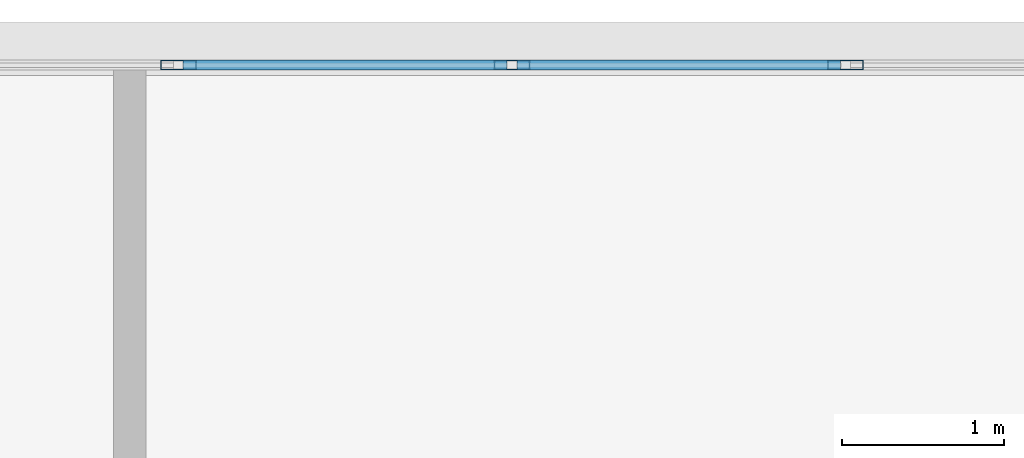
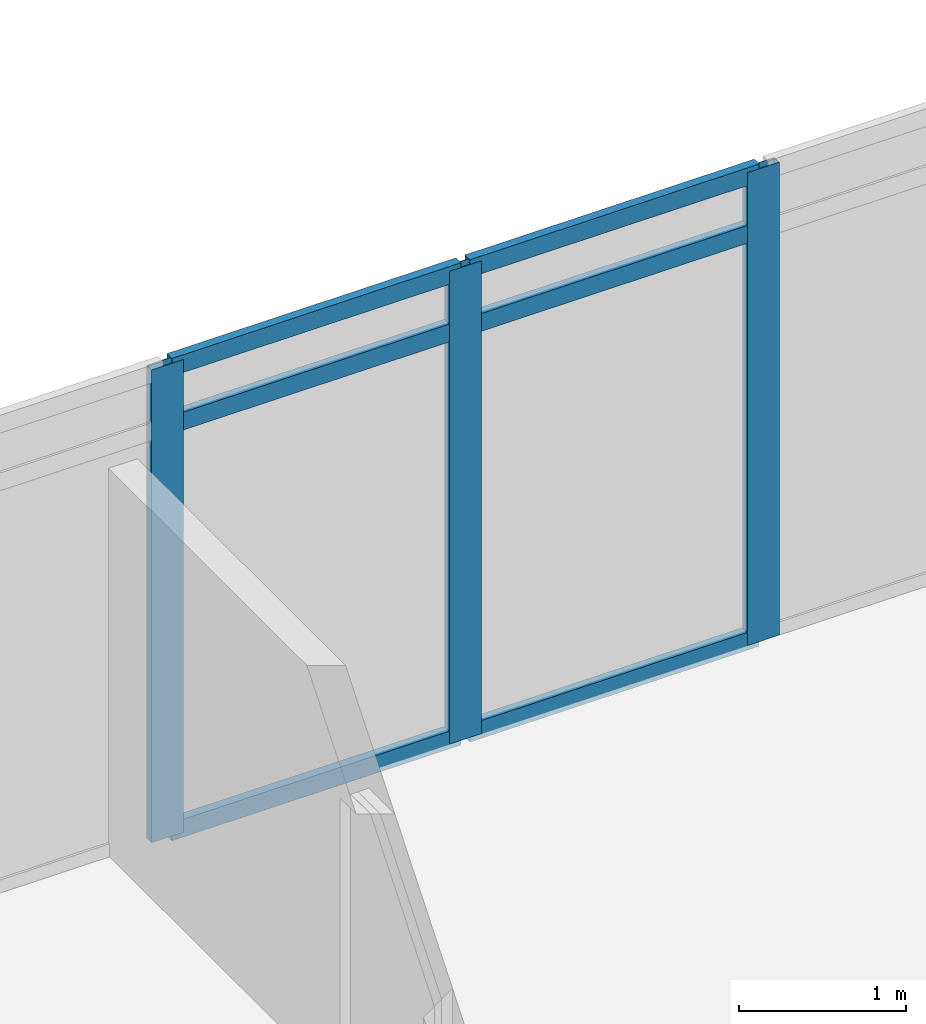
# One storey, part 15 of 28: 9 members, 1 element without a shape of its own.
"""IFC4 building model written with IfcOpenShell, lengths in metres."""

from ifc_helpers import new_model, si_unit, direction, frame, origin, origin_2d, place, context, subcontext, project, spatial, hollow_rectangle, extrude, material, material_profile, profile_set, type_object, element, aggregate, save


model = new_model("IFC4")

# Units and contexts
model_context = context("Model", 3, precision=1e-05, world=origin(), true_north=direction((0.0, 1.0)))
body_context = subcontext(model_context, "Body", "Model", "MODEL_VIEW")
ifc_project = project(units=[si_unit("LENGTHUNIT", "METRE"), si_unit("AREAUNIT", "SQUARE_METRE"), si_unit("VOLUMEUNIT", "CUBIC_METRE"), si_unit("PLANEANGLEUNIT", "RADIAN"), si_unit("MASSUNIT", "GRAM", prefix="KILO")], contexts=[model_context])

# Site, building, storey
site_placement = place(None, origin())
site = spatial("IfcSite", under=ifc_project, at=site_placement, CompositionType="ELEMENT")
building_placement = place(site_placement, origin())
building = spatial("IfcBuilding", under=site, at=building_placement, Name="Ostrander Bayou Hotel Tower", CompositionType="ELEMENT")
storey_placement = place(building_placement, frame((0.0, 0.0, 134.75)))
storey = spatial("IfcBuildingStorey", under=building, at=storey_placement, Name="L33", CompositionType="ELEMENT", Elevation=134.75)

# Curtain wall, members
ifc_material_1 = material(Name="Aluminium and clear glass", Category="aluminium")
curtain_wall_type = type_object("IfcCurtainWallType", Name="CW-BAR glazed wall", PredefinedType="NOTDEFINED", material=ifc_material_1)
curtain_wall_placement = place(storey_placement, origin())
curtain_wall = element("IfcCurtainWall", 1, at=curtain_wall_placement, inside=storey, type_object=curtain_wall_type, Name="CW-BAR L33:SB3N:T", PredefinedType="NOTDEFINED")
ifc_material_2 = material(Name="Aluminium", Category="aluminium")
ifc_material_profile_1 = material_profile(ifc_material_2, hollow_rectangle(XDim=0.06005859375, YDim=0.219970703125, WallThickness=0.00390625, at=origin_2d()))
ifc_profile_set_1 = profile_set([ifc_material_profile_1], Name="Aluminium")
member_type_1 = type_object("IfcMemberType", Name="CW-BR mullion 60 x 220 mm", PredefinedType="MULLION", material=ifc_profile_set_1)
member_1_placement = place(storey_placement, frame((-5.14111328125, 29.037109375, 0.0), z_axis=(0.0, 0.0, 1.0), x_axis=(0.0, 1.0, 0.0)))
member_1 = element("IfcMember", 2, at=member_1_placement, type_object=member_type_1, Name="CW-BAR mullion 5", PredefinedType="MULLION", context=body_context, shape_type="SweptSolid", body=[
    extrude(hollow_rectangle(XDim=0.06005859375, YDim=0.219970703125, WallThickness=0.00390625, at=origin_2d()), origin(), (0.0, 0.0, 1.0), 3.449951171875),
])
member_2_placement = place(storey_placement, frame((-3.084716796875, 29.037109375, 0.0), z_axis=(0.0, 0.0, 1.0), x_axis=(0.0, 1.0, 0.0)))
member_2 = element("IfcMember", 3, at=member_2_placement, type_object=member_type_1, Name="CW-BAR mullion 6", PredefinedType="MULLION", context=body_context, shape_type="SweptSolid", body=[
    extrude(hollow_rectangle(XDim=0.06005859375, YDim=0.219970703125, WallThickness=0.00390625, at=origin_2d()), origin(), (0.0, 0.0, 1.0), 3.449951171875),
])
member_3_placement = place(storey_placement, frame((-1.0283203125, 29.037109375, 0.0), z_axis=(0.0, 0.0, 1.0), x_axis=(0.0, 1.0, 0.0)))
member_3 = element("IfcMember", 4, at=member_3_placement, type_object=member_type_1, Name="CW-BAR mullion 7", PredefinedType="MULLION", context=body_context, shape_type="SweptSolid", body=[
    extrude(hollow_rectangle(XDim=0.06005859375, YDim=0.219970703125, WallThickness=0.00390625, at=origin_2d()), origin(), (0.0, 0.0, 1.0), 3.449951171875),
])
ifc_material_3 = material(Name="Aluminium", Category="aluminium")
ifc_material_profile_2 = material_profile(ifc_material_3, hollow_rectangle(XDim=0.06005859375, YDim=0.1298828125, WallThickness=0.00390625, at=origin_2d()))
ifc_profile_set_2 = profile_set([ifc_material_profile_2], Name="Aluminium")
member_type_2 = type_object("IfcMemberType", Name="CW-BR transom 60 x 130 mm", PredefinedType="USERDEFINED", material=ifc_profile_set_2)
member_4_placement = place(storey_placement, frame((-5.111328125, 29.037109375, 0.030029296875), z_axis=(1.0, 0.0, 0.0), x_axis=(0.0, 1.0, 0.0)))
member_4 = element("IfcMember", 5, at=member_4_placement, type_object=member_type_2, Name="CW-BAR transom 5.1", ObjectType="TRANSOM", PredefinedType="USERDEFINED", context=body_context, shape_type="SweptSolid", body=[
    extrude(hollow_rectangle(XDim=0.06005859375, YDim=0.1298828125, WallThickness=0.00390625, at=origin_2d()), origin(), (0.0, 0.0, 1.0), 1.99658203125),
])
member_5_placement = place(storey_placement, frame((-5.111328125, 29.037109375, 3.0), z_axis=(1.0, 0.0, 0.0), x_axis=(0.0, 1.0, 0.0)))
member_5 = element("IfcMember", 6, at=member_5_placement, type_object=member_type_2, Name="CW-BAR transom 5.2", ObjectType="TRANSOM", PredefinedType="USERDEFINED", context=body_context, shape_type="SweptSolid", body=[
    extrude(hollow_rectangle(XDim=0.06005859375, YDim=0.1298828125, WallThickness=0.00390625, at=origin_2d()), origin(), (0.0, 0.0, 1.0), 1.99658203125),
])
member_6_placement = place(storey_placement, frame((-5.111328125, 29.037109375, 3.419921875), z_axis=(1.0, 0.0, 0.0), x_axis=(0.0, 1.0, 0.0)))
member_6 = element("IfcMember", 7, at=member_6_placement, type_object=member_type_2, Name="CW-BAR transom 5.3", ObjectType="TRANSOM", PredefinedType="USERDEFINED", context=body_context, shape_type="SweptSolid", body=[
    extrude(hollow_rectangle(XDim=0.06005859375, YDim=0.1298828125, WallThickness=0.00390625, at=origin_2d()), origin(), (0.0, 0.0, 1.0), 1.99658203125),
])
member_7_placement = place(storey_placement, frame((-3.0546875, 29.037109375, 0.030029296875), z_axis=(1.0, 0.0, 0.0), x_axis=(0.0, 1.0, 0.0)))
member_7 = element("IfcMember", 8, at=member_7_placement, type_object=member_type_2, Name="CW-BAR transom 6.1", ObjectType="TRANSOM", PredefinedType="USERDEFINED", context=body_context, shape_type="SweptSolid", body=[
    extrude(hollow_rectangle(XDim=0.06005859375, YDim=0.1298828125, WallThickness=0.00390625, at=origin_2d()), origin(), (0.0, 0.0, 1.0), 1.996337890625),
])
member_8_placement = place(storey_placement, frame((-3.0546875, 29.037109375, 3.0), z_axis=(1.0, 0.0, 0.0), x_axis=(0.0, 1.0, 0.0)))
member_8 = element("IfcMember", 9, at=member_8_placement, type_object=member_type_2, Name="CW-BAR transom 6.2", ObjectType="TRANSOM", PredefinedType="USERDEFINED", context=body_context, shape_type="SweptSolid", body=[
    extrude(hollow_rectangle(XDim=0.06005859375, YDim=0.1298828125, WallThickness=0.00390625, at=origin_2d()), origin(), (0.0, 0.0, 1.0), 1.996337890625),
])
member_9_placement = place(storey_placement, frame((-3.0546875, 29.037109375, 3.419921875), z_axis=(1.0, 0.0, 0.0), x_axis=(0.0, 1.0, 0.0)))
member_9 = element("IfcMember", 10, at=member_9_placement, type_object=member_type_2, Name="CW-BAR transom 6.3", ObjectType="TRANSOM", PredefinedType="USERDEFINED", context=body_context, shape_type="SweptSolid", body=[
    extrude(hollow_rectangle(XDim=0.06005859375, YDim=0.1298828125, WallThickness=0.00390625, at=origin_2d()), origin(), (0.0, 0.0, 1.0), 1.996337890625),
])
aggregate(curtain_wall, [member_1, member_2, member_3, member_4, member_5, member_6, member_7, member_8, member_9])

save(model, "model.ifc")
